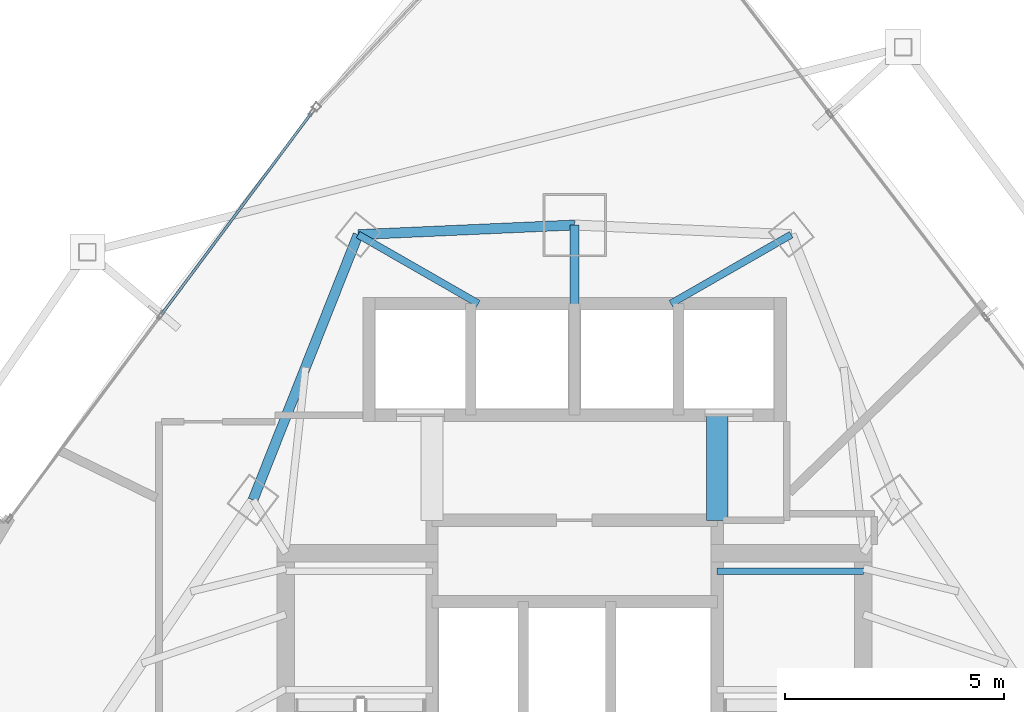
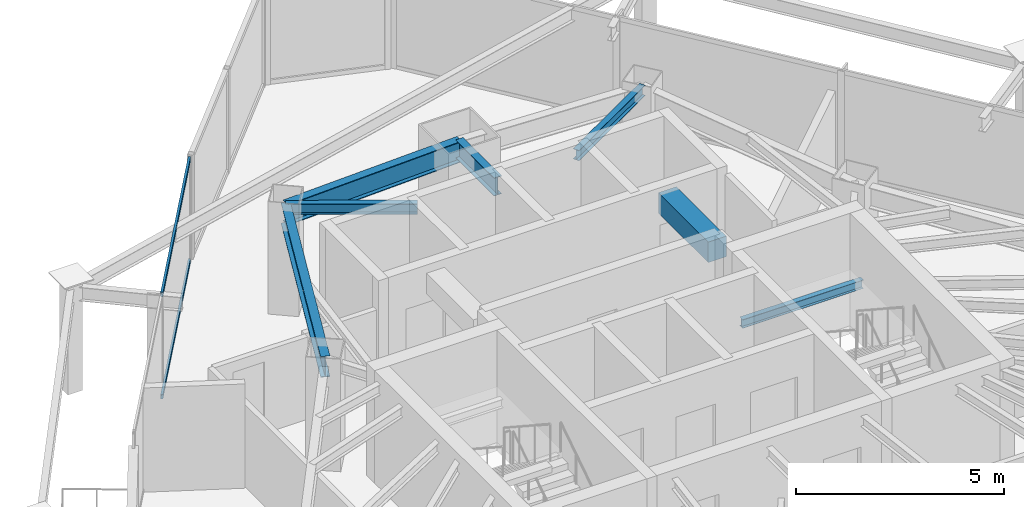
# One storey, part 18 of 31: 7 beams, 2 members, 1 element without a shape of its own.
"""IFC4 building model written with IfcOpenShell, lengths in metres."""

from ifc_helpers import new_model, si_unit, direction, frame, origin, origin_2d, place, context, subcontext, project, spatial, rectangle, hollow_rectangle, i_section, extrude, material, layer, layer_set, material_profile, profile_set, type_object, element, aggregate, save


model = new_model("IFC4")

# Units and contexts
model_context = context("Model", 3, precision=1e-05, world=origin(), true_north=direction((0.0, 1.0)))
body_context = subcontext(model_context, "Body", "Model", "MODEL_VIEW")
ifc_project = project(units=[si_unit("LENGTHUNIT", "METRE"), si_unit("AREAUNIT", "SQUARE_METRE"), si_unit("VOLUMEUNIT", "CUBIC_METRE"), si_unit("PLANEANGLEUNIT", "RADIAN"), si_unit("MASSUNIT", "GRAM", prefix="KILO")], contexts=[model_context])

# Site, building, storey
site_placement = place(None, origin())
site = spatial("IfcSite", under=ifc_project, at=site_placement, CompositionType="ELEMENT")
building_placement = place(site_placement, origin())
building = spatial("IfcBuilding", under=site, at=building_placement, Name="Orvanel Arch Residences", CompositionType="ELEMENT")
storey_placement = place(building_placement, frame((0.0, 0.0, 113.300048828125)))
storey = spatial("IfcBuildingStorey", under=building, at=storey_placement, Name="L31", CompositionType="ELEMENT", Elevation=113.300048828125)

# Beams
ifc_material_1 = material(Name="Structural steel AS/NZS 3679.1 Grade 300 (300 MPa)", Category="steel")
ifc_material_profile_1 = material_profile(ifc_material_1, i_section(OverallWidth=0.208984375, OverallDepth=0.532958984375, WebThickness=0.01025390625, FlangeThickness=0.015625, at=origin_2d()), Name="530UB92.4")
ifc_profile_set_1 = profile_set([ifc_material_profile_1], Name="Structural steel AS/NZS 3679.1 Grade 300 (300 MPa)")
beam_type_1 = type_object("IfcBeamType", Name="BG-530UB", PredefinedType="BEAM", material=ifc_profile_set_1)
beam_1_placement = place(storey_placement, frame((33.0, 39.550048828125, 2.7939453125), z_axis=(0.0, 1.0, 0.0), x_axis=(-1.0, 0.0, 0.0)))
element("IfcBeam", 1, at=beam_1_placement, inside=storey, type_object=beam_type_1, Name="L31 North Radial Girder", PredefinedType="BEAM", context=body_context, shape_type="SweptSolid", body=[
    extrude(i_section(OverallWidth=0.208984375, OverallDepth=0.532958984375, WebThickness=0.01025390625, FlangeThickness=0.015625, at=origin_2d()), origin(), (0.0, 0.0, 1.0), 1.847900390625),
])
ifc_material_profile_2 = material_profile(ifc_material_1, i_section(OverallWidth=0.14599609375, OverallDepth=0.251953125, WebThickness=0.006103515625, FlangeThickness=0.008544921875, at=origin_2d()), Name="250UB31.4")
ifc_profile_set_2 = profile_set([ifc_material_profile_2], Name="Structural steel AS/NZS 3679.1 Grade 300 (300 MPa)")
beam_type_2 = type_object("IfcBeamType", Name="BJ-250UB", PredefinedType="JOIST", material=ifc_profile_set_2)
beam_2_placement = place(storey_placement, frame((36.25, 33.47998046875, 1.323974609375), z_axis=(1.0, 0.0, 0.0), x_axis=(0.0, 1.0, 0.0)))
element("IfcBeam", 2, at=beam_2_placement, inside=storey, type_object=beam_type_2, Name="L31 ST-2 Half-Landing Support Beam 1.2", PredefinedType="JOIST", context=body_context, shape_type="SweptSolid", body=[
    extrude(i_section(OverallWidth=0.14599609375, OverallDepth=0.251953125, WebThickness=0.006103515625, FlangeThickness=0.008544921875, at=origin_2d()), origin(), (0.0, 0.0, 1.0), 3.35009765625),
])
ifc_material_profile_3 = material_profile(ifc_material_1, i_section(OverallWidth=0.1650390625, OverallDepth=0.303955078125, WebThickness=0.006103515625, FlangeThickness=0.01025390625, at=origin_2d()), Name="310UB40.4")
ifc_profile_set_3 = profile_set([ifc_material_profile_3], Name="Structural steel AS/NZS 3679.1 Grade 300 (300 MPa)")
beam_type_3 = type_object("IfcBeamType", Name="BJ-310UB", PredefinedType="JOIST", material=ifc_profile_set_3)
for number, where, z_axis, x_axis, name in (
    (3, (30.800048828125, 39.60009765625, 2.907958984375), (-0.86736513383, 0.497672306458, 0.0), (-0.497672306458, -0.86736513383, 0.0), "L31 MNW Wing Floor Joist"),
    (4, (35.199951171875, 39.60009765625, 2.907958984375), (0.86736513383, 0.497672306458, 0.0), (-0.497672306458, 0.86736513383, 0.0), "L31 MNE Wing Floor Joist"),
):
    element("IfcBeam", number, at=place(storey_placement, frame(where, z_axis=z_axis, x_axis=x_axis)), inside=storey, type_object=beam_type_3, Name=name, PredefinedType="JOIST", context=body_context, shape_type="SweptSolid", body=[
        extrude(i_section(OverallWidth=0.1650390625, OverallDepth=0.303955078125, WebThickness=0.006103515625, FlangeThickness=0.01025390625, at=origin_2d()), origin(), (0.0, 0.0, 1.0), 3.17041015625),
    ])
ifc_material_2 = material(Name="Concrete S65 (65 MPa)", Category="concrete")
ifc_material_profile_4 = material_profile(ifc_material_2, rectangle(XDim=0.5, YDim=0.60009765625, at=origin_2d()), Name="RC500x600")
ifc_profile_set_4 = profile_set([ifc_material_profile_4], Name="Concrete S65 (65 MPa)")
beam_type_4 = type_object("IfcBeamType", Name="CB-500x600", PredefinedType="LINTEL", material=ifc_profile_set_4)
beam_3_placement = place(storey_placement, frame((36.260009765625, 34.64990234375, 2.760009765625), z_axis=(0.0, 1.0, 0.0), x_axis=(-1.0, 0.0, 0.0)))
element("IfcBeam", 5, at=beam_3_placement, inside=storey, type_object=beam_type_4, Name="L31 East Core Lobby Coupling Lintel Beam", PredefinedType="LINTEL", context=body_context, shape_type="SweptSolid", body=[
    extrude(rectangle(XDim=0.5, YDim=0.60009765625, at=origin_2d()), origin(), (0.0, 0.0, 1.0), 2.400146484375),
])
ifc_material_profile_5 = material_profile(ifc_material_1, i_section(OverallWidth=0.22900390625, OverallDepth=0.612060546875, WebThickness=0.011962890625, FlangeThickness=0.01953125, at=origin_2d()), Name="610UB125")
ifc_profile_set_5 = profile_set([ifc_material_profile_5], Name="Structural steel AS/NZS 3679.1 Grade 300 (300 MPa)")
beam_type_5 = type_object("IfcBeamType", Name="SP-610UB", PredefinedType="SPANDREL", material=ifc_profile_set_5)
beam_4_placement = place(storey_placement, frame((33.0, 41.39794921875, 2.75390625), z_axis=(-0.999014049296, -0.044395149614, 0.0), x_axis=(0.044395149614, -0.999014049296, 0.0)))
element("IfcBeam", 6, at=beam_4_placement, inside=storey, type_object=beam_type_5, Name="L31 Perimeter Spandrel Beam 15", PredefinedType="SPANDREL", context=body_context, shape_type="SweptSolid", body=[
    extrude(i_section(OverallWidth=0.22900390625, OverallDepth=0.612060546875, WebThickness=0.011962890625, FlangeThickness=0.01953125, at=origin_2d()), origin(), (0.0, 0.0, 1.0), 4.954833984375),
])
beam_5_placement = place(storey_placement, frame((28.050048828125, 41.177978515625, 2.75390625), z_axis=(-0.368233143579, -0.929733484376, 0.0), x_axis=(0.929733484376, -0.368233143579, 0.0)))
element("IfcBeam", 7, at=beam_5_placement, inside=storey, type_object=beam_type_5, Name="L31 Perimeter Spandrel Beam 16", PredefinedType="SPANDREL", context=body_context, shape_type="SweptSolid", body=[
    extrude(i_section(OverallWidth=0.22900390625, OverallDepth=0.612060546875, WebThickness=0.011962890625, FlangeThickness=0.01953125, at=origin_2d()), origin(), (0.0, 0.0, 1.0), 6.523193359375),
])

# Curtain wall, members
ifc_material_3 = material(Name="Bronze-anodised aluminium AA6063-T6", Category="aluminium")
ifc_layer = layer(ifc_material_3, 0.179931640625)
ifc_layer_set = layer_set([ifc_layer], Name="Bronze-anodised aluminium AA6063-T6")
curtain_wall_type = type_object("IfcCurtainWallType", Name="CW3-MID-SYS", PredefinedType="NOTDEFINED", material=ifc_layer_set)
curtain_wall_placement = place(storey_placement, origin())
curtain_wall = element("IfcCurtainWall", 8, at=curtain_wall_placement, inside=storey, type_object=curtain_wall_type, Name="L31 CW3-MID-SYS Unitised Curtain Wall", PredefinedType="NOTDEFINED")
ifc_material_profile_6 = material_profile(ifc_material_3, hollow_rectangle(XDim=0.06005859375, YDim=0.135009765625, WallThickness=0.00390625, at=origin_2d()), Name="ALU135x60x4")
ifc_profile_set_6 = profile_set([ifc_material_profile_6], Name="Bronze-anodised aluminium AA6063-T6")
member_type = type_object("IfcMemberType", Name="TRN-135x60", PredefinedType="USERDEFINED", material=ifc_profile_set_6)
member_1_placement = place(storey_placement, frame((26.979248046875, 43.952880859375, 0.030029296875), z_axis=(-0.596981423702, -0.80225505904, 0.0), x_axis=(0.80225505904, -0.596981423702, 0.0)))
member_1 = element("IfcMember", 9, at=member_1_placement, type_object=member_type, Name="CW-S3 transom 1.1", ObjectType="TRANSOM", PredefinedType="USERDEFINED", context=body_context, shape_type="SweptSolid", body=[
    extrude(hollow_rectangle(XDim=0.06005859375, YDim=0.135009765625, WallThickness=0.00390625, at=origin_2d()), origin(), (0.0, 0.0, 1.0), 5.727783203125),
])
member_2_placement = place(storey_placement, frame((26.979248046875, 43.952880859375, 3.030029296875), z_axis=(-0.596981423702, -0.80225505904, 0.0), x_axis=(0.80225505904, -0.596981423702, 0.0)))
member_2 = element("IfcMember", 10, at=member_2_placement, type_object=member_type, Name="CW-S3 transom 1.2", ObjectType="TRANSOM", PredefinedType="USERDEFINED", context=body_context, shape_type="SweptSolid", body=[
    extrude(hollow_rectangle(XDim=0.06005859375, YDim=0.135009765625, WallThickness=0.00390625, at=origin_2d()), origin(), (0.0, 0.0, 1.0), 5.727783203125),
])
aggregate(curtain_wall, [member_1, member_2])

save(model, "model.ifc")
